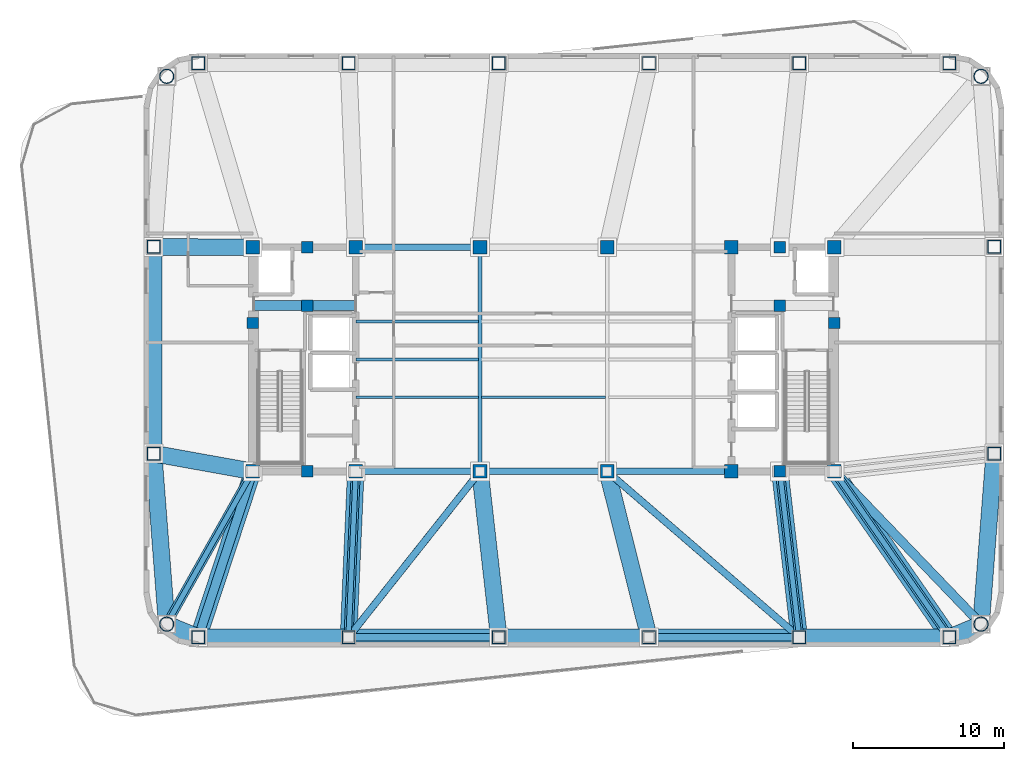
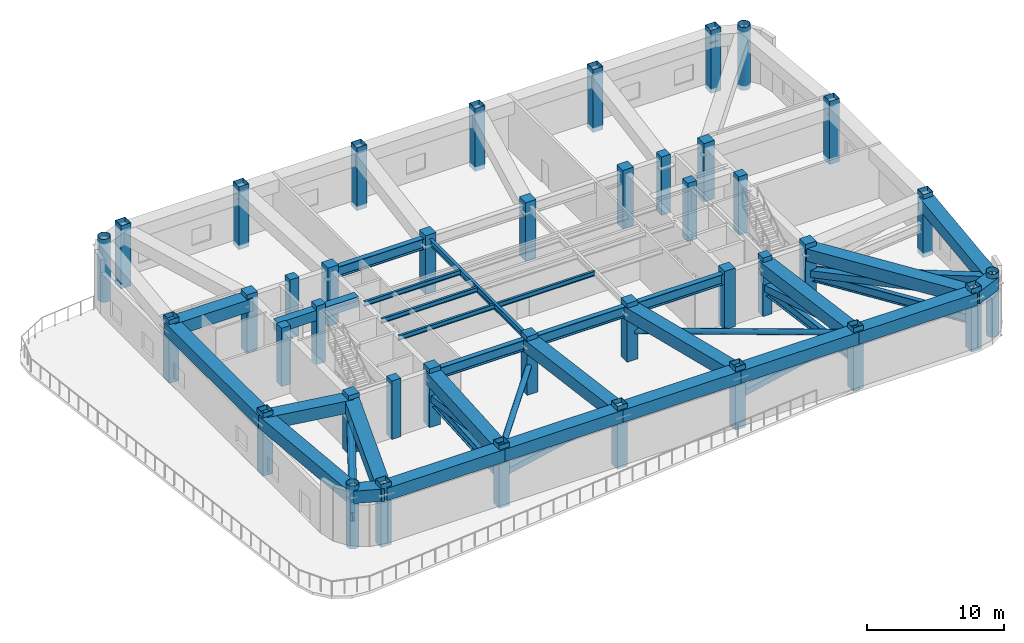
# One storey, part 1 of 10: 40 columns, 32 beams, 10 members.
"""IFC4 building model written with IfcOpenShell, lengths in metres."""

from ifc_helpers import new_model, si_unit, direction, frame, origin, origin_2d, place, context, subcontext, project, spatial, rectangle, hollow_rectangle, hollow_circle, i_section, extrude, material, material_profile, profile_set, type_object, element, save


model = new_model("IFC4")

# Units and contexts
model_context = context("Model", 3, precision=1e-05, world=origin(), true_north=direction((0.0, 1.0)))
body_context = subcontext(model_context, "Body", "Model", "MODEL_VIEW")
ifc_project = project(units=[si_unit("LENGTHUNIT", "METRE"), si_unit("AREAUNIT", "SQUARE_METRE"), si_unit("VOLUMEUNIT", "CUBIC_METRE"), si_unit("PLANEANGLEUNIT", "RADIAN"), si_unit("MASSUNIT", "GRAM", prefix="KILO")], contexts=[model_context])

# Site, building, storey
site_placement = place(None, origin())
site = spatial("IfcSite", under=ifc_project, at=site_placement, CompositionType="ELEMENT")
building_placement = place(site_placement, origin())
building = spatial("IfcBuilding", under=site, at=building_placement, Name="Voryun Gate Residences", CompositionType="ELEMENT")
storey_placement = place(building_placement, frame((0.0, 0.0, 195.0)))
storey = spatial("IfcBuildingStorey", under=building, at=storey_placement, Name="L48", CompositionType="ELEMENT", Elevation=195.0)

# Columns
ifc_material_1 = material(Name="Concrete C50/60", Category="concrete")
ifc_material_profile_1 = material_profile(ifc_material_1, rectangle(XDim=0.75, YDim=0.75, at=origin_2d()), Name="RC-750x750")
ifc_profile_set_1 = profile_set([ifc_material_profile_1], Name="Concrete C50/60")
column_type_1 = type_object("IfcColumnType", Name="COL_CORE_750", PredefinedType="COLUMN", material=ifc_profile_set_1)
for number, where, z_axis, x_axis, name in (
    (1, (-19.199951171875, 2.39990234375, 0.0), (0.0, 0.0, 1.0), (1.0, 0.0, 0.0), "L48 Core boundary column WC-MW"),
    (2, (-15.60009765625, -7.39990234375, 0.0), (0.0, 0.0, 1.0), (1.0, 0.0, 0.0), "L48 Core boundary column WC-SM"),
    (3, (-15.60009765625, 7.39990234375, 0.0), (0.0, 0.0, 1.0), (1.0, 0.0, 0.0), "L48 Core boundary column WC-NM"),
    (4, (-15.60009765625, 3.550048828125, 0.0), (0.0, 0.0, 1.0), (1.0, 0.0, 0.0), "L48 Core boundary column WC-MM"),
    (5, (15.60009765625, 3.550048828125, 0.0), (0.0, 0.0, 1.0), (1.0, 0.0, 0.0), "L48 Core boundary column EC-MM"),
    (6, (15.60009765625, -7.39990234375, 0.0), (0.0, 0.0, 1.0), (1.0, 0.0, 0.0), "L48 Core boundary column EC-SM"),
    (7, (15.60009765625, 7.39990234375, 0.0), (0.0, 0.0, 1.0), (1.0, 0.0, 0.0), "L48 Core boundary column EC-NM"),
    (8, (19.199951171875, 2.39990234375, 0.0), (0.0, 0.0, 1.0), (1.0, 0.0, 0.0), "L48 Core boundary column EC-ME"),
):
    element("IfcColumn", number, at=place(storey_placement, frame(where, z_axis=z_axis, x_axis=x_axis)), inside=storey, type_object=column_type_1, Name=name, PredefinedType="COLUMN", context=body_context, shape_type="SweptSolid", body=[
        extrude(rectangle(XDim=0.75, YDim=0.75, at=origin_2d()), origin(), (0.0, 0.0, 1.0), 5.199951171875),
    ])
ifc_material_2 = material(Name="Concrete C50/60", Category="concrete")
ifc_material_profile_2 = material_profile(ifc_material_2, rectangle(XDim=0.89990234375, YDim=0.89990234375, at=origin_2d()), Name="RC-900x900")
ifc_profile_set_2 = profile_set([ifc_material_profile_2], Name="Concrete C50/60")
column_type_2 = type_object("IfcColumnType", Name="COL_CORE_900", PredefinedType="COLUMN", material=ifc_profile_set_2)
for number, where, z_axis, x_axis, name in (
    (9, (-19.199951171875, -7.39990234375, 0.0), (0.0, 0.0, 1.0), (1.0, 0.0, 0.0), "L48 Core boundary column WC-SW"),
    (10, (-19.199951171875, 7.39990234375, 0.0), (0.0, 0.0, 1.0), (1.0, 0.0, 0.0), "L48 Core boundary column WC-NW"),
    (11, (-12.39990234375, -7.39990234375, 0.0), (0.0, 0.0, 1.0), (1.0, 0.0, 0.0), "L48 Core boundary column WC-SE"),
    (12, (-12.39990234375, 7.39990234375, 0.0), (0.0, 0.0, 1.0), (1.0, 0.0, 0.0), "L48 Core boundary column WC-NE"),
    (13, (12.39990234375, -7.39990234375, 0.0), (0.0, 0.0, 1.0), (1.0, 0.0, 0.0), "L48 Core boundary column EC-SW"),
    (14, (12.39990234375, 7.39990234375, 0.0), (0.0, 0.0, 1.0), (1.0, 0.0, 0.0), "L48 Core boundary column EC-NW"),
    (15, (19.199951171875, -7.39990234375, 0.0), (0.0, 0.0, 1.0), (1.0, 0.0, 0.0), "L48 Core boundary column EC-SE"),
    (16, (19.199951171875, 7.39990234375, 0.0), (0.0, 0.0, 1.0), (1.0, 0.0, 0.0), "L48 Core boundary column EC-NE"),
    (17, (-4.199951171875, -7.39990234375, 0.0), (0.0, 0.0, 1.0), (1.0, 0.0, 0.0), "L48 Interior spine column SP-WS"),
    (18, (-4.199951171875, 7.39990234375, 0.0), (0.0, 0.0, 1.0), (1.0, 0.0, 0.0), "L48 Interior spine column SP-WN"),
    (19, (4.199951171875, -7.39990234375, 0.0), (0.0, 0.0, 1.0), (1.0, 0.0, 0.0), "L48 Interior spine column SP-ES"),
    (20, (4.199951171875, 7.39990234375, 0.0), (0.0, 0.0, 1.0), (1.0, 0.0, 0.0), "L48 Interior spine column SP-EN"),
):
    element("IfcColumn", number, at=place(storey_placement, frame(where, z_axis=z_axis, x_axis=x_axis)), inside=storey, type_object=column_type_2, Name=name, PredefinedType="COLUMN", context=body_context, shape_type="SweptSolid", body=[
        extrude(rectangle(XDim=0.89990234375, YDim=0.89990234375, at=origin_2d()), origin(), (0.0, 0.0, 1.0), 5.199951171875),
    ])
ifc_material_3 = material(Name="Steel SM420", Category="steel")
ifc_material_profile_3 = material_profile(ifc_material_3, hollow_circle(Radius=0.47509765625, WallThickness=0.031982421875, at=origin_2d()), Name="CHS-950x32")
ifc_profile_set_3 = profile_set([ifc_material_profile_3], Name="Steel SM420")
column_type_3 = type_object("IfcColumnType", Name="COL_CRN_950", PredefinedType="COLUMN", material=ifc_profile_set_3)
for number, where, z_axis, x_axis, name in (
    (21, (28.885986328125, -17.486083984375, -0.39990234375), (0.0, 0.0, 1.0), (1.0, 0.0, 0.0), "L48 Exoskeleton column CSE"),
    (22, (28.885986328125, 18.68603515625, -0.39990234375), (0.0, 0.0, 1.0), (1.0, 0.0, 0.0), "L48 Exoskeleton column CNE"),
    (23, (-24.885986328125, 18.68603515625, -0.39990234375), (0.0, 0.0, 1.0), (1.0, 0.0, 0.0), "L48 Exoskeleton column CNW"),
    (24, (-24.885986328125, -17.486083984375, -0.39990234375), (0.0, 0.0, 1.0), (1.0, 0.0, 0.0), "L48 Exoskeleton column CSW"),
):
    element("IfcColumn", number, at=place(storey_placement, frame(where, z_axis=z_axis, x_axis=x_axis)), inside=storey, type_object=column_type_3, Name=name, PredefinedType="COLUMN", context=body_context, shape_type="SweptSolid", body=[
        extrude(hollow_circle(Radius=0.47509765625, WallThickness=0.031982421875, at=origin_2d()), origin(), (0.0, 0.0, 1.0), 5.599853515625),
    ])
ifc_material_4 = material(Name="Steel SM355", Category="steel")
ifc_material_profile_4 = material_profile(ifc_material_4, hollow_rectangle(XDim=0.85009765625, YDim=0.85009765625, WallThickness=0.028076171875, at=origin_2d()), Name="BOX-850x850x28")
ifc_profile_set_4 = profile_set([ifc_material_profile_4], Name="Steel SM355")
column_type_4 = type_object("IfcColumnType", Name="COL_EXO_B4", PredefinedType="COLUMN", material=ifc_profile_set_4)
for number, where, z_axis, x_axis, name in (
    (25, (-22.800048828125, -18.35009765625, -0.39990234375), (0.0, 0.0, 1.0), (1.0, 0.0, 0.0), "L48 Exoskeleton column S1"),
    (26, (-12.8798828125, -18.35009765625, -0.39990234375), (0.0, 0.0, 1.0), (1.0, 0.0, 0.0), "L48 Exoskeleton column S2"),
    (27, (-2.9599609375, -18.35009765625, -0.39990234375), (0.0, 0.0, 1.0), (1.0, 0.0, 0.0), "L48 Exoskeleton column S3"),
    (28, (6.9599609375, -18.35009765625, -0.39990234375), (0.0, 0.0, 1.0), (1.0, 0.0, 0.0), "L48 Exoskeleton column S4"),
    (29, (16.8798828125, -18.35009765625, -0.39990234375), (0.0, 0.0, 1.0), (1.0, 0.0, 0.0), "L48 Exoskeleton column S5"),
    (30, (26.800048828125, -18.35009765625, -0.39990234375), (0.0, 0.0, 1.0), (1.0, 0.0, 0.0), "L48 Exoskeleton column S6"),
    (31, (29.75, -6.221923828125, -0.39990234375), (0.0, 0.0, 1.0), (1.0, 0.0, 0.0), "L48 Exoskeleton column E1"),
    (32, (29.75, 7.422119140625, -0.39990234375), (0.0, 0.0, 1.0), (1.0, 0.0, 0.0), "L48 Exoskeleton column E2"),
    (33, (26.800048828125, 19.550048828125, -0.39990234375), (0.0, 0.0, 1.0), (1.0, 0.0, 0.0), "L48 Exoskeleton column N1"),
    (34, (16.8798828125, 19.550048828125, -0.39990234375), (0.0, 0.0, 1.0), (1.0, 0.0, 0.0), "L48 Exoskeleton column N2"),
    (35, (6.9599609375, 19.550048828125, -0.39990234375), (0.0, 0.0, 1.0), (1.0, 0.0, 0.0), "L48 Exoskeleton column N3"),
    (36, (-2.9599609375, 19.550048828125, -0.39990234375), (0.0, 0.0, 1.0), (1.0, 0.0, 0.0), "L48 Exoskeleton column N4"),
    (37, (-12.8798828125, 19.550048828125, -0.39990234375), (0.0, 0.0, 1.0), (1.0, 0.0, 0.0), "L48 Exoskeleton column N5"),
    (38, (-22.800048828125, 19.550048828125, -0.39990234375), (0.0, 0.0, 1.0), (1.0, 0.0, 0.0), "L48 Exoskeleton column N6"),
    (39, (-25.75, 7.422119140625, -0.39990234375), (0.0, 0.0, 1.0), (1.0, 0.0, 0.0), "L48 Exoskeleton column W1"),
    (40, (-25.75, -6.221923828125, -0.39990234375), (0.0, 0.0, 1.0), (1.0, 0.0, 0.0), "L48 Exoskeleton column W2"),
):
    element("IfcColumn", number, at=place(storey_placement, frame(where, z_axis=z_axis, x_axis=x_axis)), inside=storey, type_object=column_type_4, Name=name, PredefinedType="COLUMN", context=body_context, shape_type="SweptSolid", body=[
        extrude(hollow_rectangle(XDim=0.85009765625, YDim=0.85009765625, WallThickness=0.028076171875, at=origin_2d()), origin(), (0.0, 0.0, 1.0), 5.599853515625),
    ])

# Beams
ifc_material_5 = material(Name="Steel SM420", Category="steel")
ifc_material_profile_5 = material_profile(ifc_material_5, hollow_rectangle(XDim=1.10009765625, YDim=1.10009765625, WallThickness=0.035888671875, at=origin_2d()), Name="BOX-1100x1100x36")
ifc_profile_set_5 = profile_set([ifc_material_profile_5], Name="Steel SM420")
beam_type_1 = type_object("IfcBeamType", Name="BM_ARCH_RIB", PredefinedType="USERDEFINED", material=ifc_profile_set_5)
beam_1_placement = place(storey_placement, frame((-22.800048828125, -18.35009765625, 4.25), z_axis=(1.0, 0.0, 0.0), x_axis=(0.0, 1.0, 0.0)))
element("IfcBeam", 41, at=beam_1_placement, inside=storey, type_object=beam_type_1, Name="BM-L48-SPAND-01", ObjectType="GIRDER", PredefinedType="USERDEFINED", context=body_context, shape_type="SweptSolid", body=[
    extrude(hollow_rectangle(XDim=1.10009765625, YDim=1.10009765625, WallThickness=0.035888671875, at=origin_2d()), origin(), (0.0, 0.0, 1.0), 9.920166015625),
])
for number, where, z_axis, x_axis, name in (
    (42, (-12.8798828125, -18.35009765625, 4.25), (1.0, 0.0, 0.0), (0.0, 1.0, 0.0), "BM-L48-SPAND-02"),
    (43, (-2.9599609375, -18.35009765625, 4.25), (1.0, 0.0, 0.0), (0.0, 1.0, 0.0), "BM-L48-SPAND-03"),
    (44, (6.9599609375, -18.35009765625, 4.25), (1.0, 0.0, 0.0), (0.0, 1.0, 0.0), "BM-L48-SPAND-04"),
):
    element("IfcBeam", number, at=place(storey_placement, frame(where, z_axis=z_axis, x_axis=x_axis)), inside=storey, type_object=beam_type_1, Name=name, ObjectType="GIRDER", PredefinedType="USERDEFINED", context=body_context, shape_type="SweptSolid", body=[
        extrude(hollow_rectangle(XDim=1.10009765625, YDim=1.10009765625, WallThickness=0.035888671875, at=origin_2d()), origin(), (0.0, 0.0, 1.0), 9.919921875),
    ])
beam_2_placement = place(storey_placement, frame((16.8798828125, -18.35009765625, 4.25), z_axis=(1.0, 0.0, 0.0), x_axis=(0.0, 1.0, 0.0)))
element("IfcBeam", 45, at=beam_2_placement, inside=storey, type_object=beam_type_1, Name="BM-L48-SPAND-05", ObjectType="GIRDER", PredefinedType="USERDEFINED", context=body_context, shape_type="SweptSolid", body=[
    extrude(hollow_rectangle(XDim=1.10009765625, YDim=1.10009765625, WallThickness=0.035888671875, at=origin_2d()), origin(), (0.0, 0.0, 1.0), 9.920166015625),
])
beam_3_placement = place(storey_placement, frame((26.800048828125, -18.35009765625, 4.25), z_axis=(0.923881087602, 0.382679678022, 0.0), x_axis=(-0.382679678022, 0.923881087602, 0.0)))
element("IfcBeam", 46, at=beam_3_placement, inside=storey, type_object=beam_type_1, Name="BM-L48-SPAND-06", ObjectType="GIRDER", PredefinedType="USERDEFINED", context=body_context, shape_type="SweptSolid", body=[
    extrude(hollow_rectangle(XDim=1.10009765625, YDim=1.10009765625, WallThickness=0.035888671875, at=origin_2d()), origin(), (0.0, 0.0, 1.0), 2.2578125),
])
beam_4_placement = place(storey_placement, frame((28.885986328125, -17.486083984375, 4.25), z_axis=(0.076480009441, 0.997071114894, 0.0), x_axis=(-0.997071114894, 0.076480009441, 0.0)))
element("IfcBeam", 47, at=beam_4_placement, inside=storey, type_object=beam_type_1, Name="BM-L48-SPAND-07", ObjectType="GIRDER", PredefinedType="USERDEFINED", context=body_context, shape_type="SweptSolid", body=[
    extrude(hollow_rectangle(XDim=1.10009765625, YDim=1.10009765625, WallThickness=0.035888671875, at=origin_2d()), origin(), (0.0, 0.0, 1.0), 11.29736328125),
])
beam_5_placement = place(storey_placement, frame((-25.75, 7.422119140625, 4.25), z_axis=(0.0, -1.0, 0.0), x_axis=(1.0, 0.0, 0.0)))
element("IfcBeam", 48, at=beam_5_placement, inside=storey, type_object=beam_type_1, Name="BM-L48-SPAND-18", ObjectType="GIRDER", PredefinedType="USERDEFINED", context=body_context, shape_type="SweptSolid", body=[
    extrude(hollow_rectangle(XDim=1.10009765625, YDim=1.10009765625, WallThickness=0.035888671875, at=origin_2d()), origin(), (0.0, 0.0, 1.0), 13.64404296875),
])
beam_6_placement = place(storey_placement, frame((-25.75, -6.221923828125, 4.25), z_axis=(0.076480009441, -0.997071114894, 0.0), x_axis=(0.997071114894, 0.076480009441, 0.0)))
element("IfcBeam", 49, at=beam_6_placement, inside=storey, type_object=beam_type_1, Name="BM-L48-SPAND-19", ObjectType="GIRDER", PredefinedType="USERDEFINED", context=body_context, shape_type="SweptSolid", body=[
    extrude(hollow_rectangle(XDim=1.10009765625, YDim=1.10009765625, WallThickness=0.035888671875, at=origin_2d()), origin(), (0.0, 0.0, 1.0), 11.29736328125),
])
beam_7_placement = place(storey_placement, frame((-24.885986328125, -17.486083984375, 4.25), z_axis=(0.923881087602, -0.382679678022, 0.0), x_axis=(0.382679678022, 0.923881087602, 0.0)))
element("IfcBeam", 50, at=beam_7_placement, inside=storey, type_object=beam_type_1, Name="BM-L48-SPAND-20", ObjectType="GIRDER", PredefinedType="USERDEFINED", context=body_context, shape_type="SweptSolid", body=[
    extrude(hollow_rectangle(XDim=1.10009765625, YDim=1.10009765625, WallThickness=0.035888671875, at=origin_2d()), origin(), (0.0, 0.0, 1.0), 2.2578125),
])
beam_8_placement = place(storey_placement, frame((-19.199951171875, -7.39990234375, 4.25), z_axis=(-0.312323693326, -0.949975742104, 0.0), x_axis=(0.949975742104, -0.312323693326, 0.0)))
element("IfcBeam", 51, at=beam_8_placement, inside=storey, type_object=beam_type_1, Name="BM-L48-RAD-S1", ObjectType="GIRDER", PredefinedType="USERDEFINED", context=body_context, shape_type="SweptSolid", body=[
    extrude(hollow_rectangle(XDim=1.10009765625, YDim=1.10009765625, WallThickness=0.035888671875, at=origin_2d()), origin(), (0.0, 0.0, 1.0), 11.52685546875),
])
beam_9_placement = place(storey_placement, frame((-12.39990234375, -7.39990234375, 4.25), z_axis=(-0.043791002488, -0.999040713936, 0.0), x_axis=(0.999040713936, -0.043791002488, 0.0)))
element("IfcBeam", 52, at=beam_9_placement, inside=storey, type_object=beam_type_1, Name="BM-L48-RAD-S2", ObjectType="GIRDER", PredefinedType="USERDEFINED", context=body_context, shape_type="SweptSolid", body=[
    extrude(hollow_rectangle(XDim=1.10009765625, YDim=1.10009765625, WallThickness=0.035888671875, at=origin_2d()), origin(), (0.0, 0.0, 1.0), 10.960693359375),
])
beam_10_placement = place(storey_placement, frame((-4.199951171875, -7.39990234375, 4.25), z_axis=(0.112519968476, -0.993649463691, 0.0), x_axis=(0.993649463691, 0.112519968476, 0.0)))
element("IfcBeam", 53, at=beam_10_placement, inside=storey, type_object=beam_type_1, Name="BM-L48-RAD-S3", ObjectType="GIRDER", PredefinedType="USERDEFINED", context=body_context, shape_type="SweptSolid", body=[
    extrude(hollow_rectangle(XDim=1.10009765625, YDim=1.10009765625, WallThickness=0.035888671875, at=origin_2d()), origin(), (0.0, 0.0, 1.0), 11.020263671875),
])
beam_11_placement = place(storey_placement, frame((4.199951171875, -7.39990234375, 4.25), z_axis=(0.24440715799, -0.969672697936, 0.0), x_axis=(0.969672697936, 0.24440715799, 0.0)))
element("IfcBeam", 54, at=beam_11_placement, inside=storey, type_object=beam_type_1, Name="BM-L48-RAD-S4", ObjectType="GIRDER", PredefinedType="USERDEFINED", context=body_context, shape_type="SweptSolid", body=[
    extrude(hollow_rectangle(XDim=1.10009765625, YDim=1.10009765625, WallThickness=0.035888671875, at=origin_2d()), origin(), (0.0, 0.0, 1.0), 11.292724609375),
])
beam_12_placement = place(storey_placement, frame((15.60009765625, -7.39990234375, 4.25), z_axis=(0.116083150214, -0.993239498931, 0.0), x_axis=(0.993239498931, 0.116083150214, 0.0)))
element("IfcBeam", 55, at=beam_12_placement, inside=storey, type_object=beam_type_1, Name="BM-L48-RAD-S5", ObjectType="GIRDER", PredefinedType="USERDEFINED", context=body_context, shape_type="SweptSolid", body=[
    extrude(hollow_rectangle(XDim=1.10009765625, YDim=1.10009765625, WallThickness=0.035888671875, at=origin_2d()), origin(), (0.0, 0.0, 1.0), 11.024658203125),
])
beam_13_placement = place(storey_placement, frame((19.199951171875, -7.39990234375, 4.25), z_axis=(0.570182975489, -0.821517726201, 0.0), x_axis=(0.821517726201, 0.570182975489, 0.0)))
element("IfcBeam", 56, at=beam_13_placement, inside=storey, type_object=beam_type_1, Name="BM-L48-RAD-S6", ObjectType="GIRDER", PredefinedType="USERDEFINED", context=body_context, shape_type="SweptSolid", body=[
    extrude(hollow_rectangle(XDim=1.10009765625, YDim=1.10009765625, WallThickness=0.035888671875, at=origin_2d()), origin(), (0.0, 0.0, 1.0), 13.329345703125),
])
beam_14_placement = place(storey_placement, frame((-19.199951171875, 7.39990234375, 4.25), z_axis=(-0.999994247719, 0.003391832589, 0.0), x_axis=(-0.003391832589, -0.999994247719, 0.0)))
element("IfcBeam", 57, at=beam_14_placement, inside=storey, type_object=beam_type_1, Name="BM-L48-RAD-W1", ObjectType="GIRDER", PredefinedType="USERDEFINED", context=body_context, shape_type="SweptSolid", body=[
    extrude(hollow_rectangle(XDim=1.10009765625, YDim=1.10009765625, WallThickness=0.035888671875, at=origin_2d()), origin(), (0.0, 0.0, 1.0), 6.550048828125),
])
beam_15_placement = place(storey_placement, frame((-19.199951171875, -7.39990234375, 4.25), z_axis=(-0.984210303638, 0.177003045773, 0.0), x_axis=(-0.177003045773, -0.984210303638, 0.0)))
element("IfcBeam", 58, at=beam_15_placement, inside=storey, type_object=beam_type_1, Name="BM-L48-RAD-W2", ObjectType="GIRDER", PredefinedType="USERDEFINED", context=body_context, shape_type="SweptSolid", body=[
    extrude(hollow_rectangle(XDim=1.10009765625, YDim=1.10009765625, WallThickness=0.035888671875, at=origin_2d()), origin(), (0.0, 0.0, 1.0), 6.655029296875),
])
ifc_material_6 = material(Name="Concrete C60/75", Category="concrete")
ifc_material_profile_6 = material_profile(ifc_material_6, rectangle(XDim=0.64990234375, YDim=0.89990234375, at=origin_2d()), Name="RC-650x900")
ifc_profile_set_6 = profile_set([ifc_material_profile_6], Name="Concrete C60/75")
beam_type_2 = type_object("IfcBeamType", Name="BM_COUP_RC900", PredefinedType="LINTEL", material=ifc_profile_set_6)
beam_16_placement = place(storey_placement, frame((-19.199951171875, 3.550048828125, 4.35009765625), z_axis=(1.0, 0.0, 0.0), x_axis=(0.0, 1.0, 0.0)))
element("IfcBeam", 59, at=beam_16_placement, inside=storey, type_object=beam_type_2, Name="BM-L48-WC1", PredefinedType="LINTEL", context=body_context, shape_type="SweptSolid", body=[
    extrude(rectangle(XDim=0.64990234375, YDim=0.89990234375, at=origin_2d()), origin(), (0.0, 0.0, 1.0), 6.800048828125),
])
ifc_material_7 = material(Name="Steel SM355", Category="steel")
ifc_material_profile_7 = material_profile(ifc_material_7, i_section(OverallWidth=0.239990234375, OverallDepth=0.550048828125, WebThickness=0.011962890625, FlangeThickness=0.02001953125, FilletRadius=0.01806640625, at=origin_2d()), Name="H-550x240x12x20")
ifc_profile_set_7 = profile_set([ifc_material_profile_7], Name="Steel SM355")
beam_type_3 = type_object("IfcBeamType", Name="BM_GIRD_550", PredefinedType="USERDEFINED", material=ifc_profile_set_7)
beam_17_placement = place(storey_placement, frame((-4.199951171875, -7.39990234375, 4.52490234375), z_axis=(0.0, 1.0, 0.0), x_axis=(-1.0, 0.0, 0.0)))
element("IfcBeam", 60, at=beam_17_placement, inside=storey, type_object=beam_type_3, Name="BM-L48-SPX-W", ObjectType="GIRDER", PredefinedType="USERDEFINED", context=body_context, shape_type="SweptSolid", body=[
    extrude(i_section(OverallWidth=0.239990234375, OverallDepth=0.550048828125, WebThickness=0.011962890625, FlangeThickness=0.02001953125, FilletRadius=0.01806640625, at=origin_2d()), origin(), (0.0, 0.0, 1.0), 14.7998046875),
])
ifc_material_8 = material(Name="Steel SM420", Category="steel")
ifc_material_profile_8 = material_profile(ifc_material_8, i_section(OverallWidth=0.360107421875, OverallDepth=0.800048828125, WebThickness=0.01611328125, FlangeThickness=0.030029296875, FilletRadius=0.01806640625, at=origin_2d()), Name="H-800x360x16x30")
ifc_profile_set_8 = profile_set([ifc_material_profile_8], Name="Steel SM420")
beam_type_4 = type_object("IfcBeamType", Name="BM_OUTRIGGER_CHD", PredefinedType="USERDEFINED", material=ifc_profile_set_8)
beam_18_placement = place(storey_placement, frame((-19.199951171875, -7.39990234375, 2.14990234375), z_axis=(-0.49108492538, -0.871111701255, 0.0), x_axis=(0.871111701255, -0.49108492538, 0.0)))
element("IfcBeam", 61, at=beam_18_placement, inside=storey, type_object=beam_type_4, Name="BM-L48-OUTCHD-CSW", ObjectType="GIRDER", PredefinedType="USERDEFINED", context=body_context, shape_type="SweptSolid", body=[
    extrude(i_section(OverallWidth=0.360107421875, OverallDepth=0.800048828125, WebThickness=0.01611328125, FlangeThickness=0.030029296875, FilletRadius=0.01806640625, at=origin_2d()), origin(), (0.0, 0.0, 1.0), 11.57861328125),
])
beam_19_placement = place(storey_placement, frame((-12.39990234375, -7.39990234375, 2.14990234375), z_axis=(-0.043791002488, -0.999040713936, 0.0), x_axis=(0.999040713936, -0.043791002488, 0.0)))
element("IfcBeam", 62, at=beam_19_placement, inside=storey, type_object=beam_type_4, Name="BM-L48-OUTCHD-S2", ObjectType="GIRDER", PredefinedType="USERDEFINED", context=body_context, shape_type="SweptSolid", body=[
    extrude(i_section(OverallWidth=0.360107421875, OverallDepth=0.800048828125, WebThickness=0.01611328125, FlangeThickness=0.030029296875, FilletRadius=0.01806640625, at=origin_2d()), origin(), (0.0, 0.0, 1.0), 10.960693359375),
])
beam_20_placement = place(storey_placement, frame((15.60009765625, -7.39990234375, 2.14990234375), z_axis=(0.116083150214, -0.993239498931, 0.0), x_axis=(0.993239498931, 0.116083150214, 0.0)))
element("IfcBeam", 63, at=beam_20_placement, inside=storey, type_object=beam_type_4, Name="BM-L48-OUTCHD-S5", ObjectType="GIRDER", PredefinedType="USERDEFINED", context=body_context, shape_type="SweptSolid", body=[
    extrude(i_section(OverallWidth=0.360107421875, OverallDepth=0.800048828125, WebThickness=0.01611328125, FlangeThickness=0.030029296875, FilletRadius=0.01806640625, at=origin_2d()), origin(), (0.0, 0.0, 1.0), 11.024658203125),
])
beam_21_placement = place(storey_placement, frame((19.199951171875, -7.39990234375, 2.14990234375), z_axis=(0.570182975489, -0.821517726201, 0.0), x_axis=(0.821517726201, 0.570182975489, 0.0)))
element("IfcBeam", 64, at=beam_21_placement, inside=storey, type_object=beam_type_4, Name="BM-L48-OUTCHD-S6", ObjectType="GIRDER", PredefinedType="USERDEFINED", context=body_context, shape_type="SweptSolid", body=[
    extrude(i_section(OverallWidth=0.360107421875, OverallDepth=0.800048828125, WebThickness=0.01611328125, FlangeThickness=0.030029296875, FilletRadius=0.01806640625, at=origin_2d()), origin(), (0.0, 0.0, 1.0), 13.329345703125),
])
ifc_material_9 = material(Name="Steel SM355", Category="steel")
ifc_material_profile_9 = material_profile(ifc_material_9, i_section(OverallWidth=0.18994140625, OverallDepth=0.419921875, WebThickness=0.009033203125, FlangeThickness=0.01611328125, FilletRadius=0.01806640625, at=origin_2d()), Name="H-420x190x9x16")
ifc_profile_set_9 = profile_set([ifc_material_profile_9], Name="Steel SM355")
beam_type_5 = type_object("IfcBeamType", Name="BM_SEC_420", PredefinedType="BEAM", material=ifc_profile_set_9)
beam_22_placement = place(storey_placement, frame((-12.39990234375, -2.5, 4.590087890625), z_axis=(1.0, 0.0, 0.0), x_axis=(0.0, 1.0, 0.0)))
element("IfcBeam", 65, at=beam_22_placement, inside=storey, type_object=beam_type_5, Name="BM-L48-SEC-CS1", PredefinedType="BEAM", context=body_context, shape_type="SweptSolid", body=[
    extrude(i_section(OverallWidth=0.18994140625, OverallDepth=0.419921875, WebThickness=0.009033203125, FlangeThickness=0.01611328125, FilletRadius=0.01806640625, at=origin_2d()), origin(), (0.0, 0.0, 1.0), 8.099853515625),
])
beam_23_placement = place(storey_placement, frame((-4.10009765625, -2.5, 4.590087890625), z_axis=(1.0, 0.0, 0.0), x_axis=(0.0, 1.0, 0.0)))
element("IfcBeam", 66, at=beam_23_placement, inside=storey, type_object=beam_type_5, Name="BM-L48-SEC-CS2", PredefinedType="BEAM", context=body_context, shape_type="SweptSolid", body=[
    extrude(i_section(OverallWidth=0.18994140625, OverallDepth=0.419921875, WebThickness=0.009033203125, FlangeThickness=0.01611328125, FilletRadius=0.01806640625, at=origin_2d()), origin(), (0.0, 0.0, 1.0), 8.2001953125),
])
for number, where, z_axis, x_axis, name in (
    (67, (-12.39990234375, 0.0, 4.590087890625), (1.0, 0.0, 0.0), (0.0, 1.0, 0.0), "BM-L48-SEC-CM1"),
    (68, (-12.39990234375, 2.5, 4.590087890625), (1.0, 0.0, 0.0), (0.0, 1.0, 0.0), "BM-L48-SEC-CN1"),
):
    element("IfcBeam", number, at=place(storey_placement, frame(where, z_axis=z_axis, x_axis=x_axis)), inside=storey, type_object=beam_type_5, Name=name, PredefinedType="BEAM", context=body_context, shape_type="SweptSolid", body=[
        extrude(i_section(OverallWidth=0.18994140625, OverallDepth=0.419921875, WebThickness=0.009033203125, FlangeThickness=0.01611328125, FilletRadius=0.01806640625, at=origin_2d()), origin(), (0.0, 0.0, 1.0), 8.099853515625),
    ])
ifc_material_10 = material(Name="Steel SM420", Category="steel")
ifc_material_profile_10 = material_profile(ifc_material_10, i_section(OverallWidth=0.419921875, OverallDepth=0.949951171875, WebThickness=0.02001953125, FlangeThickness=0.035888671875, FilletRadius=0.01806640625, at=origin_2d()), Name="H-950x420x20x36")
ifc_profile_set_10 = profile_set([ifc_material_profile_10], Name="Steel SM420")
beam_type_6 = type_object("IfcBeamType", Name="BM_XFER_950", PredefinedType="USERDEFINED", material=ifc_profile_set_10)
beam_24_placement = place(storey_placement, frame((-12.39990234375, -7.39990234375, 4.324951171875), z_axis=(1.0, 0.0, 0.0), x_axis=(0.0, 1.0, 0.0)))
element("IfcBeam", 69, at=beam_24_placement, inside=storey, type_object=beam_type_6, Name="BM-L48-SPG1-S", ObjectType="GIRDER", PredefinedType="USERDEFINED", context=body_context, shape_type="SweptSolid", body=[
    extrude(i_section(OverallWidth=0.419921875, OverallDepth=0.949951171875, WebThickness=0.02001953125, FlangeThickness=0.035888671875, FilletRadius=0.01806640625, at=origin_2d()), origin(), (0.0, 0.0, 1.0), 8.199951171875),
])
beam_25_placement = place(storey_placement, frame((-4.199951171875, -7.39990234375, 4.324951171875), z_axis=(1.0, 0.0, 0.0), x_axis=(0.0, 1.0, 0.0)))
element("IfcBeam", 70, at=beam_25_placement, inside=storey, type_object=beam_type_6, Name="BM-L48-SPG2-S", ObjectType="GIRDER", PredefinedType="USERDEFINED", context=body_context, shape_type="SweptSolid", body=[
    extrude(i_section(OverallWidth=0.419921875, OverallDepth=0.949951171875, WebThickness=0.02001953125, FlangeThickness=0.035888671875, FilletRadius=0.01806640625, at=origin_2d()), origin(), (0.0, 0.0, 1.0), 8.39990234375),
])
for number, where, z_axis, x_axis, name in (
    (71, (4.199951171875, -7.39990234375, 4.324951171875), (1.0, 0.0, 0.0), (0.0, 1.0, 0.0), "BM-L48-SPG3-S"),
    (72, (-12.39990234375, 7.39990234375, 4.324951171875), (1.0, 0.0, 0.0), (0.0, 1.0, 0.0), "BM-L48-SPG1-N"),
):
    element("IfcBeam", number, at=place(storey_placement, frame(where, z_axis=z_axis, x_axis=x_axis)), inside=storey, type_object=beam_type_6, Name=name, ObjectType="GIRDER", PredefinedType="USERDEFINED", context=body_context, shape_type="SweptSolid", body=[
        extrude(i_section(OverallWidth=0.419921875, OverallDepth=0.949951171875, WebThickness=0.02001953125, FlangeThickness=0.035888671875, FilletRadius=0.01806640625, at=origin_2d()), origin(), (0.0, 0.0, 1.0), 8.199951171875),
    ])

# Members
ifc_material_11 = material(Name="Steel SM420", Category="steel")
ifc_material_profile_11 = material_profile(ifc_material_11, hollow_rectangle(XDim=0.52001953125, YDim=0.52001953125, WallThickness=0.02392578125, at=origin_2d()), Name="BOX-520x520x24")
ifc_profile_set_11 = profile_set([ifc_material_profile_11], Name="Steel SM420")
member_type_1 = type_object("IfcMemberType", Name="MBR_BELT_DIAG", PredefinedType="BRACE", material=ifc_profile_set_11)
for number, where, z_axis, x_axis, name in (
    (73, (-12.8798828125, -18.35009765625, 2.39990234375), (0.977306212639, 0.0, 0.211831458326), (0.0, 1.0, 0.0), "L48 Mechanical South Belt Truss Diagonal 02"),
    (74, (6.9599609375, -18.35009765625, 2.39990234375), (0.977306212639, 0.0, 0.211831458326), (0.0, 1.0, 0.0), "L48 Mechanical South Belt Truss Diagonal 04"),
):
    element("IfcMember", number, at=place(storey_placement, frame(where, z_axis=z_axis, x_axis=x_axis)), inside=storey, type_object=member_type_1, Name=name, PredefinedType="BRACE", context=body_context, shape_type="SweptSolid", body=[
        extrude(hollow_rectangle(XDim=0.52001953125, YDim=0.52001953125, WallThickness=0.02392578125, at=origin_2d()), origin(), (0.0, 0.0, 1.0), 10.150390625),
    ])
ifc_material_12 = material(Name="Steel SM420", Category="steel")
ifc_material_profile_12 = material_profile(ifc_material_12, hollow_circle(Radius=0.22998046875, WallThickness=0.02197265625, at=origin_2d()), Name="CHS-460x22")
ifc_profile_set_12 = profile_set([ifc_material_profile_12], Name="Steel SM420")
member_type_2 = type_object("IfcMemberType", Name="MBR_CANT_STRUT_UP", PredefinedType="STRUT", material=ifc_profile_set_12)
member_1_placement = place(storey_placement, frame((-4.199951171875, -7.39990234375, 2.3798828125), z_axis=(-0.614481411536, -0.77520097517, 0.146547067432), x_axis=(0.783661622358, -0.621187943897, 0.0)))
element("IfcMember", 75, at=member_1_placement, inside=storey, type_object=member_type_2, Name="L48 Upper Mechanical Strut S2", PredefinedType="STRUT", context=body_context, shape_type="SweptSolid", body=[
    extrude(hollow_circle(Radius=0.22998046875, WallThickness=0.02197265625, at=origin_2d()), origin(), (0.0, 0.0, 1.0), 14.125732421875),
])
member_2_placement = place(storey_placement, frame((4.199951171875, -7.39990234375, 2.3798828125), z_axis=(0.751130400252, -0.648664742132, 0.122626155992), x_axis=(0.653597485604, 0.756842339468, 0.0)))
element("IfcMember", 76, at=member_2_placement, inside=storey, type_object=member_type_2, Name="L48 Upper Mechanical Strut S5", PredefinedType="STRUT", context=body_context, shape_type="SweptSolid", body=[
    extrude(hollow_circle(Radius=0.22998046875, WallThickness=0.02197265625, at=origin_2d()), origin(), (0.0, 0.0, 1.0), 16.881103515625),
])
ifc_material_13 = material(Name="Steel SM420", Category="steel")
ifc_material_profile_13 = material_profile(ifc_material_13, hollow_rectangle(XDim=0.60009765625, YDim=0.60009765625, WallThickness=0.028076171875, at=origin_2d()), Name="BOX-600x600x28")
ifc_profile_set_13 = profile_set([ifc_material_profile_13], Name="Steel SM420")
member_type_3 = type_object("IfcMemberType", Name="MBR_OUTRIGGER_DIAG", PredefinedType="BRACE", material=ifc_profile_set_13)
member_3_placement = place(storey_placement, frame((-19.199951171875, -7.39990234375, 2.39990234375), z_axis=(-0.48283028646, -0.856469198133, 0.182579919831), x_axis=(0.871111701255, -0.49108492538, 0.0)))
element("IfcMember", 77, at=member_3_placement, inside=storey, type_object=member_type_3, Name="L48 Outrigger Truss Diagonal CSW", PredefinedType="BRACE", context=body_context, shape_type="SweptSolid", body=[
    extrude(hollow_rectangle(XDim=0.60009765625, YDim=0.60009765625, WallThickness=0.028076171875, at=origin_2d()), origin(), (0.0, 0.0, 1.0), 11.7763671875),
])
member_4_placement = place(storey_placement, frame((-19.199951171875, -7.39990234375, 2.39990234375), z_axis=(-0.30702784302, -0.933867680396, 0.18337136942), x_axis=(0.949975742104, -0.312323693326, 0.0)))
element("IfcMember", 78, at=member_4_placement, inside=storey, type_object=member_type_3, Name="L48 Outrigger Truss Diagonal S1", PredefinedType="BRACE", context=body_context, shape_type="SweptSolid", body=[
    extrude(hollow_rectangle(XDim=0.60009765625, YDim=0.60009765625, WallThickness=0.028076171875, at=origin_2d()), origin(), (0.0, 0.0, 1.0), 11.7255859375),
])
member_5_placement = place(storey_placement, frame((-12.39990234375, -7.39990234375, 2.39990234375), z_axis=(-0.042971981519, -0.980355704524, 0.192499614058), x_axis=(0.999040713936, -0.043791002488, 0.0)))
element("IfcMember", 79, at=member_5_placement, inside=storey, type_object=member_type_3, Name="L48 Outrigger Truss Diagonal S2", PredefinedType="BRACE", context=body_context, shape_type="SweptSolid", body=[
    extrude(hollow_rectangle(XDim=0.60009765625, YDim=0.60009765625, WallThickness=0.028076171875, at=origin_2d()), origin(), (0.0, 0.0, 1.0), 11.169677734375),
])
member_6_placement = place(storey_placement, frame((15.60009765625, -7.39990234375, 2.39990234375), z_axis=(0.113936500693, -0.974872172658, 0.191422884701), x_axis=(0.993239498931, 0.116083150214, 0.0)))
element("IfcMember", 80, at=member_6_placement, inside=storey, type_object=member_type_3, Name="L48 Outrigger Truss Diagonal S5", PredefinedType="BRACE", context=body_context, shape_type="SweptSolid", body=[
    extrude(hollow_rectangle(XDim=0.60009765625, YDim=0.60009765625, WallThickness=0.028076171875, at=origin_2d()), origin(), (0.0, 0.0, 1.0), 11.232421875),
])
member_7_placement = place(storey_placement, frame((19.199951171875, -7.39990234375, 2.39990234375), z_axis=(0.562906278217, -0.811033485082, 0.159252026735), x_axis=(0.821517726201, 0.570182975489, 0.0)))
element("IfcMember", 81, at=member_7_placement, inside=storey, type_object=member_type_3, Name="L48 Outrigger Truss Diagonal S6", PredefinedType="BRACE", context=body_context, shape_type="SweptSolid", body=[
    extrude(hollow_rectangle(XDim=0.60009765625, YDim=0.60009765625, WallThickness=0.028076171875, at=origin_2d()), origin(), (0.0, 0.0, 1.0), 13.50146484375),
])
member_8_placement = place(storey_placement, frame((19.199951171875, -7.39990234375, 2.39990234375), z_axis=(0.684609285662, -0.712891652431, 0.151972424732), x_axis=(0.721269388338, 0.692654653812, 0.0)))
element("IfcMember", 82, at=member_8_placement, inside=storey, type_object=member_type_3, Name="L48 Outrigger Truss Diagonal CSE", PredefinedType="BRACE", context=body_context, shape_type="SweptSolid", body=[
    extrude(hollow_rectangle(XDim=0.60009765625, YDim=0.60009765625, WallThickness=0.028076171875, at=origin_2d()), origin(), (0.0, 0.0, 1.0), 14.148193359375),
])

save(model, "model.ifc")
